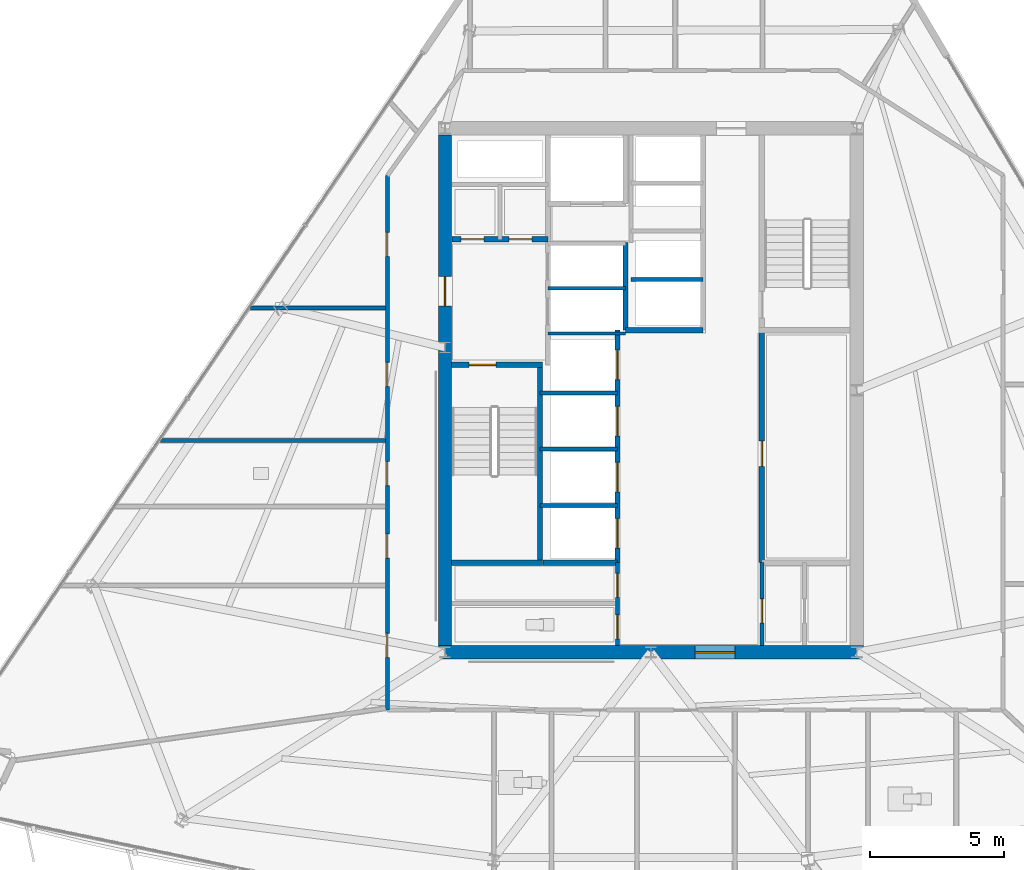
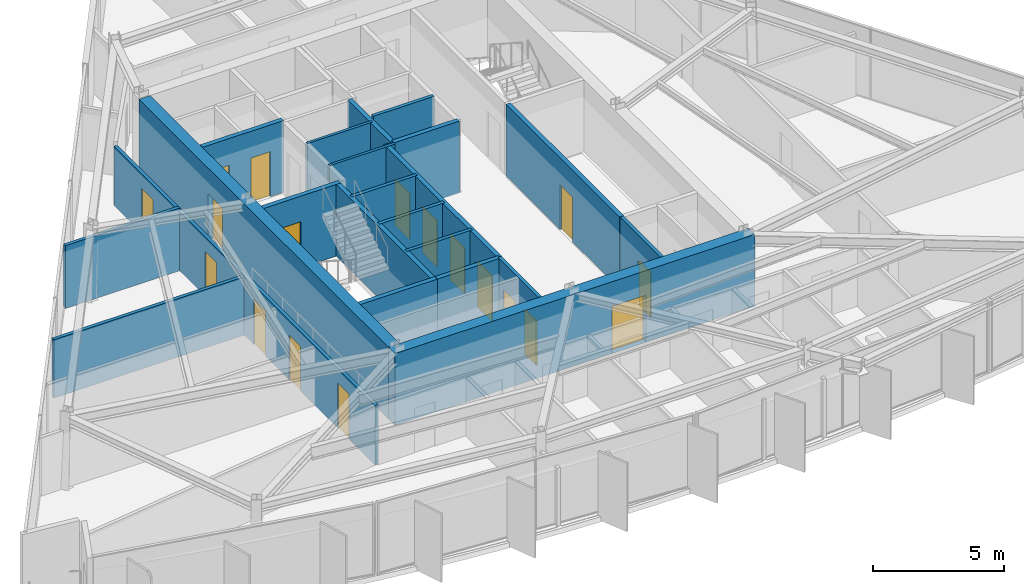
# One storey, part 8 of 15: 22 walls, 18 doors, 18 openings.
"""IFC4 building model written with IfcOpenShell, lengths in metres."""

from ifc_helpers import new_model, si_unit, direction, frame, frame_2d, origin, place, context, subcontext, project, spatial, rectangle, extrude, material, layer, layer_set, type_object, element, fill, save


model = new_model("IFC4")

# Units and contexts
model_context = context("Model", 3, precision=1e-05, world=origin(), true_north=direction((0.0, 1.0)))
body_context = subcontext(model_context, "Body", "Model", "MODEL_VIEW")
ifc_project = project(units=[si_unit("LENGTHUNIT", "METRE"), si_unit("AREAUNIT", "SQUARE_METRE"), si_unit("VOLUMEUNIT", "CUBIC_METRE"), si_unit("PLANEANGLEUNIT", "RADIAN"), si_unit("MASSUNIT", "GRAM", prefix="KILO")], contexts=[model_context])

# Site, building, storey
site_placement = place(None, origin())
site = spatial("IfcSite", under=ifc_project, at=site_placement, CompositionType="ELEMENT")
building_placement = place(site_placement, origin())
building = spatial("IfcBuilding", under=site, at=building_placement, Name="Savorim Split Tower", CompositionType="ELEMENT")
storey_placement = place(building_placement, frame((0.0, 0.0, 167.39990234375)))
storey = spatial("IfcBuildingStorey", under=building, at=storey_placement, Name="L44", CompositionType="ELEMENT", Elevation=167.39990234375)

# Wall, opening, door
ifc_material_1 = material(Name="Concrete C60/75", Category="concrete")
ifc_layer_1 = layer(ifc_material_1, 0.5)
ifc_layer_set_1 = layer_set([ifc_layer_1], Name="WAL-COR-SH500")
wall_type_1 = type_object("IfcWallType", Name="WAL-COR-SH500", PredefinedType="SHEAR", material=ifc_layer_set_1)
wall_1_placement = place(storey_placement, frame((-7.949951171875, -9.39990234375, 0.0), z_axis=(0.0, 0.0, 1.0), x_axis=(1.0, 0.0, 0.0)))
wall_1 = element("IfcWall", 1, at=wall_1_placement, inside=storey, type_object=wall_type_1, Name="L44 Offset Core South Shear Wall", PredefinedType="SHEAR", context=body_context, shape_type="SweptSolid", body=[
    extrude(rectangle(XDim=15.89990234375, YDim=0.5, at=frame_2d((7.949951171875, 0.0))), origin(), (0.0, 0.0, 1.0), 3.35009765625),
])
opening_1_placement = place(wall_1_placement, frame((9.60009765625, 0.0, 0.0)))
opening_1 = element("IfcOpeningElement", 2, at=opening_1_placement, cuts=wall_1, Name="Opening DI-02", PredefinedType="OPENING", context=body_context, shape_type="SweptSolid", body=[
    extrude(rectangle(XDim=1.5, YDim=2.199951171875, at=frame_2d((0.75, 1.10009765625))), frame((0.0, 0.260009765625, 0.0), z_axis=(0.0, -1.0, 0.0), x_axis=(1.0, 0.0, 0.0)), (0.0, 0.0, 1.0), 0.52001953125),
])
ifc_material_2 = material(Name="Timber Fire Door Leaf", Category="wood")
door_type_1 = type_object("IfcDoorType", Name="DOR-DBL-1500", OperationType="NOTDEFINED", PredefinedType="DOOR", material=ifc_material_2)
door_1_placement = place(opening_1_placement, origin())
door_1 = element("IfcDoor", 3, at=door_1_placement, inside=storey, type_object=door_type_1, Name="DOR-L44-COR-LLOB - L44 Lift Lobby Main Rated Door", OperationType="DOUBLE_DOOR_SINGLE_SWING", OverallHeight=2.199951171875, OverallWidth=1.5, PredefinedType="DOOR", context=body_context, shape_type="SweptSolid", body=[
    extrude(rectangle(XDim=1.5, YDim=2.199951171875, at=frame_2d((0.75, 1.10009765625))), frame((0.0, 0.02490234375, 0.0), z_axis=(0.0, -1.0, 0.0), x_axis=(1.0, 0.0, 0.0)), (0.0, 0.0, 1.0), 0.050048828125),
])
fill(opening_1, door_1)

wall_2_placement = place(storey_placement, frame((-7.699951171875, -9.14990234375, 0.0), z_axis=(0.0, 0.0, 1.0), x_axis=(0.0, 1.0, 0.0)))
wall_2 = element("IfcWall", 4, at=wall_2_placement, inside=storey, type_object=wall_type_1, Name="L44 Offset Core West Shear Wall", PredefinedType="SHEAR", context=body_context, shape_type="SweptSolid", body=[
    extrude(rectangle(XDim=19.099853515625, YDim=0.5, at=frame_2d((9.5498046875, 0.0))), origin(), (0.0, 0.0, 1.0), 3.35009765625),
])
opening_2_placement = place(wall_2_placement, frame((12.699951171875, 0.0, 0.0)))
opening_2 = element("IfcOpeningElement", 5, at=opening_2_placement, cuts=wall_2, Name="Opening DI-03", PredefinedType="OPENING", context=body_context, shape_type="SweptSolid", body=[
    extrude(rectangle(XDim=1.10009765625, YDim=2.14990234375, at=frame_2d((0.550048828125, 1.074951171875))), frame((0.0, 0.260009765625, 0.0), z_axis=(0.0, -1.0, 0.0), x_axis=(1.0, 0.0, 0.0)), (0.0, 0.0, 1.0), 0.52001953125),
])
door_type_2 = type_object("IfcDoorType", Name="DOR-FIR-1100", OperationType="NOTDEFINED", PredefinedType="DOOR", material=ifc_material_2)
door_2_placement = place(opening_2_placement, origin())
door_2 = element("IfcDoor", 6, at=door_2_placement, inside=storey, type_object=door_type_2, Name="DOR-L44-COR-FFLOB - L44 Firefighting Lobby Corridor Door", OperationType="SINGLE_SWING_RIGHT", OverallHeight=2.14990234375, OverallWidth=1.10009765625, PredefinedType="DOOR", context=body_context, shape_type="SweptSolid", body=[
    extrude(rectangle(XDim=1.10009765625, YDim=2.14990234375, at=frame_2d((0.550048828125, 1.074951171875))), frame((0.0, 0.02490234375, 0.0), z_axis=(0.0, -1.0, 0.0), x_axis=(1.0, 0.0, 0.0)), (0.0, 0.0, 1.0), 0.050048828125),
])
fill(opening_2, door_2)

ifc_material_3 = material(Name="Concrete C50/60", Category="concrete")
ifc_layer_2 = layer(ifc_material_3, 0.199951171875)
ifc_layer_set_2 = layer_set([ifc_layer_2], Name="WAL-INT-RC200")
wall_type_2 = type_object("IfcWallType", Name="WAL-INT-RC200", PredefinedType="SOLIDWALL", material=ifc_layer_set_2)
wall_3_placement = place(storey_placement, frame((-7.449951171875, 1.35009765625, 0.0), z_axis=(0.0, 0.0, 1.0), x_axis=(1.0, 0.0, 0.0)))
wall_3 = element("IfcWall", 7, at=wall_3_placement, inside=storey, type_object=wall_type_2, Name="L44 Structural Shaft Wall W-L44-CR01", PredefinedType="SOLIDWALL", context=body_context, shape_type="SweptSolid", body=[
    extrude(rectangle(XDim=3.39990234375, YDim=0.199951171875, at=frame_2d((1.699951171875, 0.0))), origin(), (0.0, 0.0, 1.0), 3.35009765625),
])
opening_3_placement = place(wall_3_placement, frame((0.64990234375, 0.0, 0.0)))
opening_3 = element("IfcOpeningElement", 8, at=opening_3_placement, cuts=wall_3, Name="Opening DI-04", PredefinedType="OPENING", context=body_context, shape_type="SweptSolid", body=[
    extrude(rectangle(XDim=1.0, YDim=2.14990234375, at=frame_2d((0.5, 1.074951171875))), frame((0.0, 0.10986328125, 0.0), z_axis=(0.0, -1.0, 0.0), x_axis=(1.0, 0.0, 0.0)), (0.0, 0.0, 1.0), 0.219970703125),
])
door_type_3 = type_object("IfcDoorType", Name="DOR-FIR-1000", OperationType="NOTDEFINED", PredefinedType="DOOR", material=ifc_material_2)
door_3_placement = place(opening_3_placement, origin())
door_3 = element("IfcDoor", 9, at=door_3_placement, inside=storey, type_object=door_type_3, Name="DR-L44-ST1 - L44 Stair ST-1 Enclosure Door", OperationType="SINGLE_SWING_LEFT", OverallHeight=2.14990234375, OverallWidth=1.0, PredefinedType="DOOR", context=body_context, shape_type="SweptSolid", body=[
    extrude(rectangle(XDim=1.0, YDim=2.14990234375, at=frame_2d((0.5, 1.074951171875))), frame((0.0, 0.02490234375, 0.0), z_axis=(0.0, -1.0, 0.0), x_axis=(1.0, 0.0, 0.0)), (0.0, 0.0, 1.0), 0.050048828125),
])
fill(opening_3, door_3)

# Wall
wall_4_placement = place(storey_placement, frame((-4.14990234375, -5.949951171875, 0.0), z_axis=(0.0, 0.0, 1.0), x_axis=(0.0, 1.0, 0.0)))
element("IfcWall", 10, at=wall_4_placement, inside=storey, type_object=wall_type_2, Name="L44 Structural Shaft Wall W-L44-CR02", PredefinedType="SOLIDWALL", context=body_context, shape_type="SweptSolid", body=[
    extrude(rectangle(XDim=7.199951171875, YDim=0.199951171875, at=frame_2d((3.60009765625, 0.0))), origin(), (0.0, 0.0, 1.0), 3.35009765625),
])

# Wall, openings, doors
wall_5_placement = place(storey_placement, frame((-7.445068359375, 6.050048828125, 0.0), z_axis=(0.0, 0.0, 1.0), x_axis=(1.0, 0.0, 0.0)))
wall_5 = element("IfcWall", 11, at=wall_5_placement, inside=storey, type_object=wall_type_2, Name="L44 Partition W-L44-CR04", PredefinedType="SOLIDWALL", context=body_context, shape_type="SweptSolid", body=[
    extrude(rectangle(XDim=3.594970703125, YDim=0.199951171875, at=frame_2d((1.79736328125, 0.0))), origin(), (0.0, 0.0, 1.0), 3.35009765625),
])
opening_4_placement = place(wall_5_placement, frame((0.344970703125, 0.0, 0.0)))
opening_4 = element("IfcOpeningElement", 12, at=opening_4_placement, cuts=wall_5, Name="Opening DI-12", PredefinedType="OPENING", context=body_context, shape_type="SweptSolid", body=[
    extrude(rectangle(XDim=0.85009765625, YDim=2.10009765625, at=frame_2d((0.425048828125, 1.050048828125))), frame((0.0, 0.10986328125, 0.0), z_axis=(0.0, -1.0, 0.0), x_axis=(1.0, 0.0, 0.0)), (0.0, 0.0, 1.0), 0.219970703125),
])
opening_5_placement = place(wall_5_placement, frame((2.14501953125, 0.0, 0.0)))
opening_5 = element("IfcOpeningElement", 13, at=opening_5_placement, cuts=wall_5, Name="Opening DI-12", PredefinedType="OPENING", context=body_context, shape_type="SweptSolid", body=[
    extrude(rectangle(XDim=0.85009765625, YDim=2.10009765625, at=frame_2d((0.425048828125, 1.050048828125))), frame((0.0, 0.10986328125, 0.0), z_axis=(0.0, -1.0, 0.0), x_axis=(1.0, 0.0, 0.0)), (0.0, 0.0, 1.0), 0.219970703125),
])
ifc_material_4 = material(Name="Galvanised Painted Steel Balustrade", Category="steel")
door_type_4 = type_object("IfcDoorType", Name="DOR-RIS-850", OperationType="NOTDEFINED", PredefinedType="DOOR", material=ifc_material_4)
door_4_placement = place(opening_4_placement, origin())
door_4 = element("IfcDoor", 14, at=door_4_placement, inside=storey, type_object=door_type_4, Name="DR-L44-ELR - L44 Electrical Riser Access Door", OperationType="SINGLE_SWING_RIGHT", OverallHeight=2.10009765625, OverallWidth=0.85009765625, PredefinedType="DOOR", context=body_context, shape_type="SweptSolid", body=[
    extrude(rectangle(XDim=0.85009765625, YDim=2.10009765625, at=frame_2d((0.425048828125, 1.050048828125))), frame((0.0, 0.02490234375, 0.0), z_axis=(0.0, -1.0, 0.0), x_axis=(1.0, 0.0, 0.0)), (0.0, 0.0, 1.0), 0.050048828125),
])
fill(opening_4, door_4)
door_5_placement = place(opening_5_placement, origin())
door_5 = element("IfcDoor", 15, at=door_5_placement, inside=storey, type_object=door_type_4, Name="DR-L44-TLR - L44 Telecom Riser Access Door", OperationType="SINGLE_SWING_LEFT", OverallHeight=2.10009765625, OverallWidth=0.85009765625, PredefinedType="DOOR", context=body_context, shape_type="SweptSolid", body=[
    extrude(rectangle(XDim=0.85009765625, YDim=2.10009765625, at=frame_2d((0.425048828125, 1.050048828125))), frame((0.0, 0.02490234375, 0.0), z_axis=(0.0, -1.0, 0.0), x_axis=(1.0, 0.0, 0.0)), (0.0, 0.0, 1.0), 0.050048828125),
])
fill(opening_5, door_5)

# Wall
wall_6_placement = place(storey_placement, frame((-0.949951171875, 2.64990234375, 0.0), z_axis=(0.0, 0.0, 1.0), x_axis=(0.0, 1.0, 0.0)))
element("IfcWall", 16, at=wall_6_placement, inside=storey, type_object=wall_type_2, Name="L44 Partition W-L44-FFLW", PredefinedType="SOLIDWALL", context=body_context, shape_type="SweptSolid", body=[
    extrude(rectangle(XDim=3.27001953125, YDim=0.199951171875, at=frame_2d((1.635009765625, 0.0))), origin(), (0.0, 0.0, 1.0), 3.35009765625),
])

# Wall, opening, door
wall_7_placement = place(storey_placement, frame((4.14990234375, -6.050048828125, 0.0), z_axis=(0.0, 0.0, 1.0), x_axis=(0.0, 1.0, 0.0)))
wall_7 = element("IfcWall", 17, at=wall_7_placement, inside=storey, type_object=wall_type_2, Name="L44 Partition W-L44-B1FRONT", PredefinedType="SOLIDWALL", context=body_context, shape_type="SweptSolid", body=[
    extrude(rectangle(XDim=8.699951171875, YDim=0.199951171875, at=frame_2d((4.35009765625, 0.0))), origin(), (0.0, 0.0, 1.0), 3.35009765625),
])
opening_6_placement = place(wall_7_placement, frame((3.60009765625, 0.0, 0.0)))
opening_6 = element("IfcOpeningElement", 18, at=opening_6_placement, cuts=wall_7, Name="Opening DI-05", PredefinedType="OPENING", context=body_context, shape_type="SweptSolid", body=[
    extrude(rectangle(XDim=0.949951171875, YDim=2.10009765625, at=frame_2d((0.47509765625, 1.050048828125))), frame((0.0, 0.10986328125, 0.0), z_axis=(0.0, -1.0, 0.0), x_axis=(1.0, 0.0, 0.0)), (0.0, 0.0, 1.0), 0.219970703125),
])
door_type_5 = type_object("IfcDoorType", Name="DOR-FIR-950", OperationType="NOTDEFINED", PredefinedType="DOOR", material=ifc_material_2)
door_6_placement = place(opening_6_placement, origin())
door_6 = element("IfcDoor", 19, at=door_6_placement, inside=storey, type_object=door_type_5, Name="DR-L44-LV7B1 - L44 Shared Pantry and Linen Room Door", OperationType="SINGLE_SWING_RIGHT", OverallHeight=2.10009765625, OverallWidth=0.949951171875, PredefinedType="DOOR", context=body_context, shape_type="SweptSolid", body=[
    extrude(rectangle(XDim=0.949951171875, YDim=2.10009765625, at=frame_2d((0.47509765625, 1.050048828125))), frame((0.0, 0.02490234375, 0.0), z_axis=(0.0, -1.0, 0.0), x_axis=(1.0, 0.0, 0.0)), (0.0, 0.0, 1.0), 0.050048828125),
])
fill(opening_6, door_6)

# Wall, openings, doors
wall_8_placement = place(storey_placement, frame((-1.25, -6.050048828125, 0.0), z_axis=(0.0, 0.0, 1.0), x_axis=(0.0, 1.0, 0.0)))
wall_8 = element("IfcWall", 20, at=wall_8_placement, inside=storey, type_object=wall_type_2, Name="L44 Partition W-L44-B2FRONT", PredefinedType="SOLIDWALL", context=body_context, shape_type="SweptSolid", body=[
    extrude(rectangle(XDim=8.699951171875, YDim=0.199951171875, at=frame_2d((4.35009765625, 0.0))), origin(), (0.0, 0.0, 1.0), 3.35009765625),
])
opening_7_placement = place(wall_8_placement, frame((0.550048828125, 0.0, 0.0)))
opening_7 = element("IfcOpeningElement", 21, at=opening_7_placement, cuts=wall_8, Name="Opening LD-02", PredefinedType="OPENING", context=body_context, shape_type="SweptSolid", body=[
    extrude(rectangle(XDim=1.10009765625, YDim=2.14990234375, at=frame_2d((0.550048828125, 1.074951171875))), frame((0.0, 0.10986328125, 0.0), z_axis=(0.0, -1.0, 0.0), x_axis=(1.0, 0.0, 0.0)), (0.0, 0.0, 1.0), 0.219970703125),
])
opening_8_placement = place(wall_8_placement, frame((2.64990234375, 0.0, 0.0)))
opening_8 = element("IfcOpeningElement", 22, at=opening_8_placement, cuts=wall_8, Name="Opening LD-02", PredefinedType="OPENING", context=body_context, shape_type="SweptSolid", body=[
    extrude(rectangle(XDim=1.10009765625, YDim=2.14990234375, at=frame_2d((0.550048828125, 1.074951171875))), frame((0.0, 0.10986328125, 0.0), z_axis=(0.0, -1.0, 0.0), x_axis=(1.0, 0.0, 0.0)), (0.0, 0.0, 1.0), 0.219970703125),
])
opening_9_placement = place(wall_8_placement, frame((4.75, 0.0, 0.0)))
opening_9 = element("IfcOpeningElement", 23, at=opening_9_placement, cuts=wall_8, Name="Opening LD-02", PredefinedType="OPENING", context=body_context, shape_type="SweptSolid", body=[
    extrude(rectangle(XDim=1.10009765625, YDim=2.14990234375, at=frame_2d((0.550048828125, 1.074951171875))), frame((0.0, 0.10986328125, 0.0), z_axis=(0.0, -1.0, 0.0), x_axis=(1.0, 0.0, 0.0)), (0.0, 0.0, 1.0), 0.219970703125),
])
opening_10_placement = place(wall_8_placement, frame((6.85009765625, 0.0, 0.0)))
opening_10 = element("IfcOpeningElement", 24, at=opening_10_placement, cuts=wall_8, Name="Opening LD-02", PredefinedType="OPENING", context=body_context, shape_type="SweptSolid", body=[
    extrude(rectangle(XDim=1.10009765625, YDim=2.14990234375, at=frame_2d((0.550048828125, 1.074951171875))), frame((0.0, 0.10986328125, 0.0), z_axis=(0.0, -1.0, 0.0), x_axis=(1.0, 0.0, 0.0)), (0.0, 0.0, 1.0), 0.219970703125),
])
ifc_material_5 = material(Name="Charcoal Anodised Aluminium", Category="aluminium")
door_type_6 = type_object("IfcDoorType", Name="DOR-SLD-LDM1100", OperationType="NOTDEFINED", PredefinedType="DOOR", material=ifc_material_5)
door_7_placement = place(opening_7_placement, origin())
door_7 = element("IfcDoor", 25, at=door_7_placement, inside=storey, type_object=door_type_6, Name="DR-L44-LD-PLM1 - L44 Lift PL-M1 Sliding Landing Door", OperationType="DOUBLE_DOOR_SLIDING", OverallHeight=2.14990234375, OverallWidth=1.10009765625, PredefinedType="DOOR", context=body_context, shape_type="SweptSolid", body=[
    extrude(rectangle(XDim=1.10009765625, YDim=2.14990234375, at=frame_2d((0.550048828125, 1.074951171875))), frame((0.0, 0.02490234375, 0.0), z_axis=(0.0, -1.0, 0.0), x_axis=(1.0, 0.0, 0.0)), (0.0, 0.0, 1.0), 0.050048828125),
])
fill(opening_7, door_7)
door_8_placement = place(opening_8_placement, origin())
door_8 = element("IfcDoor", 26, at=door_8_placement, inside=storey, type_object=door_type_6, Name="DR-L44-LD-PLM2 - L44 Lift PL-M2 Sliding Landing Door", OperationType="DOUBLE_DOOR_SLIDING", OverallHeight=2.14990234375, OverallWidth=1.10009765625, PredefinedType="DOOR", context=body_context, shape_type="SweptSolid", body=[
    extrude(rectangle(XDim=1.10009765625, YDim=2.14990234375, at=frame_2d((0.550048828125, 1.074951171875))), frame((0.0, 0.02490234375, 0.0), z_axis=(0.0, -1.0, 0.0), x_axis=(1.0, 0.0, 0.0)), (0.0, 0.0, 1.0), 0.050048828125),
])
fill(opening_8, door_8)
door_9_placement = place(opening_9_placement, origin())
door_9 = element("IfcDoor", 27, at=door_9_placement, inside=storey, type_object=door_type_6, Name="DR-L44-LD-PLM3 - L44 Lift PL-M3 Sliding Landing Door", OperationType="DOUBLE_DOOR_SLIDING", OverallHeight=2.14990234375, OverallWidth=1.10009765625, PredefinedType="DOOR", context=body_context, shape_type="SweptSolid", body=[
    extrude(rectangle(XDim=1.10009765625, YDim=2.14990234375, at=frame_2d((0.550048828125, 1.074951171875))), frame((0.0, 0.02490234375, 0.0), z_axis=(0.0, -1.0, 0.0), x_axis=(1.0, 0.0, 0.0)), (0.0, 0.0, 1.0), 0.050048828125),
])
fill(opening_9, door_9)
door_10_placement = place(opening_10_placement, origin())
door_10 = element("IfcDoor", 28, at=door_10_placement, inside=storey, type_object=door_type_6, Name="DR-L44-LD-PLM4 - L44 Lift PL-M4 Sliding Landing Door", OperationType="DOUBLE_DOOR_SLIDING", OverallHeight=2.14990234375, OverallWidth=1.10009765625, PredefinedType="DOOR", context=body_context, shape_type="SweptSolid", body=[
    extrude(rectangle(XDim=1.10009765625, YDim=2.14990234375, at=frame_2d((0.550048828125, 1.074951171875))), frame((0.0, 0.02490234375, 0.0), z_axis=(0.0, -1.0, 0.0), x_axis=(1.0, 0.0, 0.0)), (0.0, 0.0, 1.0), 0.050048828125),
])
fill(opening_10, door_10)

# Walls
wall_9_placement = place(storey_placement, frame((-0.949951171875, 2.64990234375, 0.0), z_axis=(0.0, 0.0, 1.0), x_axis=(1.0, 0.0, 0.0)))
element("IfcWall", 29, at=wall_9_placement, inside=storey, type_object=wall_type_2, Name="L44 Partition W-L44-B3SOUTH", PredefinedType="SOLIDWALL", context=body_context, shape_type="SweptSolid", body=[
    extrude(rectangle(XDim=2.89990234375, YDim=0.199951171875, at=frame_2d((1.449951171875, 0.0))), origin(), (0.0, 0.0, 1.0), 3.35009765625),
])
wall_10_placement = place(storey_placement, frame((-7.449951171875, -6.050048828125, 0.0), z_axis=(0.0, 0.0, 1.0), x_axis=(1.0, 0.0, 0.0)))
element("IfcWall", 30, at=wall_10_placement, inside=storey, type_object=wall_type_2, Name="L44 Structural Shaft Wall W-L44-KSEP-W", PredefinedType="SOLIDWALL", context=body_context, shape_type="SweptSolid", body=[
    extrude(rectangle(XDim=3.39990234375, YDim=0.199951171875, at=frame_2d((1.699951171875, 0.0))), origin(), (0.0, 0.0, 1.0), 3.35009765625),
])
wall_11_placement = place(storey_placement, frame((-4.0400390625, -6.050048828125, 0.0), z_axis=(0.0, 0.0, 1.0), x_axis=(1.0, 0.0, 0.0)))
element("IfcWall", 31, at=wall_11_placement, inside=storey, type_object=wall_type_2, Name="L44 Partition W-L44-KSEP-W2", PredefinedType="SOLIDWALL", context=body_context, shape_type="SweptSolid", body=[
    extrude(rectangle(XDim=2.7900390625, YDim=0.199951171875, at=frame_2d((1.39501953125, 0.0))), origin(), (0.0, 0.0, 1.0), 3.35009765625),
])
ifc_material_6 = material(Name="Acoustic Gypsum Partition Board")
ifc_layer_3 = layer(ifc_material_6, 0.1201171875)
ifc_layer_set_3 = layer_set([ifc_layer_3], Name="WAL-PAR-120")
wall_type_3 = type_object("IfcWallType", Name="WAL-PAR-120", PredefinedType="PARTITIONING", material=ifc_layer_set_3)
for number, where, z_axis, x_axis, name in (
    (32, (-3.85009765625, 2.52001953125, 0.0), (0.0, 0.0, 1.0), (1.0, 0.0, 0.0), "L44 Partition W-L44-FFLD0"),
    (33, (-3.85009765625, 4.219970703125, 0.0), (0.0, 0.0, 1.0), (1.0, 0.0, 0.0), "L44 Partition W-L44-FFLD1"),
):
    element("IfcWall", number, at=place(storey_placement, frame(where, z_axis=z_axis, x_axis=x_axis)), inside=storey, type_object=wall_type_3, Name=name, PredefinedType="PARTITIONING", context=body_context, shape_type="SweptSolid", body=[
        extrude(rectangle(XDim=2.900146484375, YDim=0.1201171875, at=frame_2d((1.4501953125, 0.0))), origin(), (0.0, 0.0, 1.0), 3.35009765625),
    ])
ifc_layer_4 = layer(ifc_material_6, 0.14990234375)
ifc_layer_set_4 = layer_set([ifc_layer_4], Name="WAL-PAR-150")
wall_type_4 = type_object("IfcWallType", Name="WAL-PAR-150", PredefinedType="PARTITIONING", material=ifc_layer_set_4)
for number, where, z_axis, x_axis, name in (
    (34, (-4.14990234375, -3.89990234375, 0.0), (0.0, 0.0, 1.0), (1.0, 0.0, 0.0), "L44 Partition W-L44-B2DIV1"),
    (35, (-4.14990234375, -1.800048828125, 0.0), (0.0, 0.0, 1.0), (1.0, 0.0, 0.0), "L44 Partition W-L44-B2DIV2"),
    (36, (-4.14990234375, 0.300048828125, 0.0), (0.0, 0.0, 1.0), (1.0, 0.0, 0.0), "L44 Partition W-L44-B2DIV3"),
):
    element("IfcWall", number, at=place(storey_placement, frame(where, z_axis=z_axis, x_axis=x_axis)), inside=storey, type_object=wall_type_4, Name=name, PredefinedType="PARTITIONING", context=body_context, shape_type="SweptSolid", body=[
        extrude(rectangle(XDim=2.89990234375, YDim=0.14990234375, at=frame_2d((1.449951171875, 0.0))), origin(), (0.0, 0.0, 1.0), 3.35009765625),
    ])
wall_12_placement = place(storey_placement, frame((-0.75, 4.550048828125, 0.0), z_axis=(0.0, 0.0, 1.0), x_axis=(1.0, 0.0, 0.0)))
element("IfcWall", 37, at=wall_12_placement, inside=storey, type_object=wall_type_4, Name="L44 Partition W-L44-B3DIV1", PredefinedType="PARTITIONING", context=body_context, shape_type="SweptSolid", body=[
    extrude(rectangle(XDim=2.699951171875, YDim=0.14990234375, at=frame_2d((1.35009765625, 0.0))), origin(), (0.0, 0.0, 1.0), 3.35009765625),
])

# Wall, openings, doors
wall_13_placement = place(storey_placement, frame((-1.25, -9.14501953125, 0.0), z_axis=(0.0, 0.0, 1.0), x_axis=(0.0, 1.0, 0.0)))
wall_13 = element("IfcWall", 38, at=wall_13_placement, inside=storey, type_object=wall_type_4, Name="L44 Partition W-L44-KLOB-W", PredefinedType="PARTITIONING", context=body_context, shape_type="SweptSolid", body=[
    extrude(rectangle(XDim=3.094970703125, YDim=0.14990234375, at=frame_2d((1.54736328125, 0.0))), origin(), (0.0, 0.0, 1.0), 3.35009765625),
])
opening_11_placement = place(wall_13_placement, frame((1.794921875, 0.0, 0.0)))
opening_11 = element("IfcOpeningElement", 39, at=opening_11_placement, cuts=wall_13, Name="Opening DI-06", PredefinedType="OPENING", context=body_context, shape_type="SweptSolid", body=[
    extrude(rectangle(XDim=0.89990234375, YDim=2.10009765625, at=frame_2d((0.449951171875, 1.050048828125))), frame((0.0, 0.0849609375, 0.0), z_axis=(0.0, -1.0, 0.0), x_axis=(1.0, 0.0, 0.0)), (0.0, 0.0, 1.0), 0.169921875),
])
opening_12_placement = place(wall_13_placement, frame((0.2451171875, 0.0, 0.0)))
opening_12 = element("IfcOpeningElement", 40, at=opening_12_placement, cuts=wall_13, Name="Opening DI-11", PredefinedType="OPENING", context=body_context, shape_type="SweptSolid", body=[
    extrude(rectangle(XDim=0.89990234375, YDim=2.10009765625, at=frame_2d((0.449951171875, 1.050048828125))), frame((0.0, 0.0849609375, 0.0), z_axis=(0.0, -1.0, 0.0), x_axis=(1.0, 0.0, 0.0)), (0.0, 0.0, 1.0), 0.169921875),
])
door_type_7 = type_object("IfcDoorType", Name="DOR-FIR-900", OperationType="NOTDEFINED", PredefinedType="DOOR", material=ifc_material_2)
door_11_placement = place(opening_11_placement, origin())
door_11 = element("IfcDoor", 41, at=door_11_placement, inside=storey, type_object=door_type_7, Name="DR-L44-K2CLN - L44 Cleaning Store Door", OperationType="SINGLE_SWING_LEFT", OverallHeight=2.10009765625, OverallWidth=0.89990234375, PredefinedType="DOOR", context=body_context, shape_type="SweptSolid", body=[
    extrude(rectangle(XDim=0.89990234375, YDim=2.10009765625, at=frame_2d((0.449951171875, 1.050048828125))), frame((0.0, 0.02490234375, 0.0), z_axis=(0.0, -1.0, 0.0), x_axis=(1.0, 0.0, 0.0)), (0.0, 0.0, 1.0), 0.050048828125),
])
fill(opening_11, door_11)
ifc_material_7 = material(Name="Oak Veneer Acoustic Door")
door_type_8 = type_object("IfcDoorType", Name="DOR-WC-900", OperationType="NOTDEFINED", PredefinedType="DOOR", material=ifc_material_7)
door_12_placement = place(opening_12_placement, origin())
door_12 = element("IfcDoor", 42, at=door_12_placement, inside=storey, type_object=door_type_8, Name="DR-L44-K2WC - L44 Core WC Door", OperationType="SINGLE_SWING_RIGHT", OverallHeight=2.10009765625, OverallWidth=0.89990234375, PredefinedType="DOOR", context=body_context, shape_type="SweptSolid", body=[
    extrude(rectangle(XDim=0.89990234375, YDim=2.10009765625, at=frame_2d((0.449951171875, 1.050048828125))), frame((0.0, 0.02490234375, 0.0), z_axis=(0.0, -1.0, 0.0), x_axis=(1.0, 0.0, 0.0)), (0.0, 0.0, 1.0), 0.050048828125),
])
fill(opening_12, door_12)

# Wall, opening, door
wall_14_placement = place(storey_placement, frame((4.14990234375, -9.14501953125, 0.0), z_axis=(0.0, 0.0, 1.0), x_axis=(0.0, 1.0, 0.0)))
wall_14 = element("IfcWall", 43, at=wall_14_placement, inside=storey, type_object=wall_type_4, Name="L44 Partition W-L44-KLOB-E", PredefinedType="PARTITIONING", context=body_context, shape_type="SweptSolid", body=[
    extrude(rectangle(XDim=3.094970703125, YDim=0.14990234375, at=frame_2d((1.54736328125, 0.0))), origin(), (0.0, 0.0, 1.0), 3.35009765625),
])
opening_13_placement = place(wall_14_placement, frame((0.844970703125, 0.0, 0.0)))
opening_13 = element("IfcOpeningElement", 44, at=opening_13_placement, cuts=wall_14, Name="Opening DI-06", PredefinedType="OPENING", context=body_context, shape_type="SweptSolid", body=[
    extrude(rectangle(XDim=0.89990234375, YDim=2.10009765625, at=frame_2d((0.449951171875, 1.050048828125))), frame((0.0, 0.0849609375, 0.0), z_axis=(0.0, -1.0, 0.0), x_axis=(1.0, 0.0, 0.0)), (0.0, 0.0, 1.0), 0.169921875),
])
door_13_placement = place(opening_13_placement, origin())
door_13 = element("IfcDoor", 45, at=door_13_placement, inside=storey, type_object=door_type_7, Name="DR-L44-K2PAN - L44 Vending Pantry Door", OperationType="SINGLE_SWING_LEFT", OverallHeight=2.10009765625, OverallWidth=0.89990234375, PredefinedType="DOOR", context=body_context, shape_type="SweptSolid", body=[
    extrude(rectangle(XDim=0.89990234375, YDim=2.10009765625, at=frame_2d((0.449951171875, 1.050048828125))), frame((0.0, 0.02490234375, 0.0), z_axis=(0.0, -1.0, 0.0), x_axis=(1.0, 0.0, 0.0)), (0.0, 0.0, 1.0), 0.050048828125),
])
fill(opening_13, door_13)

# Wall, openings, doors
wall_15_placement = place(storey_placement, frame((-9.860107421875, -11.56005859375, 0.0), z_axis=(0.0, 0.0, 1.0), x_axis=(0.0, 1.0, 0.0)))
wall_15 = element("IfcWall", 46, at=wall_15_placement, inside=storey, type_object=wall_type_4, Name="L44 Partition W-L44-COR-01", PredefinedType="PARTITIONING", context=body_context, shape_type="SweptSolid", body=[
    extrude(rectangle(XDim=19.98583984375, YDim=0.14990234375, at=frame_2d((9.992919921875, 0.0))), origin(), (0.0, 0.0, 1.0), 2.775146484375),
])
opening_14_placement = place(wall_15_placement, frame((8.39501953125, 0.0, 0.0)))
opening_14 = element("IfcOpeningElement", 47, at=opening_14_placement, cuts=wall_15, Name="Opening DI-06", PredefinedType="OPENING", context=body_context, shape_type="SweptSolid", body=[
    extrude(rectangle(XDim=0.89990234375, YDim=2.10009765625, at=frame_2d((0.449951171875, 1.050048828125))), frame((0.0, 0.0849609375, 0.0), z_axis=(0.0, -1.0, 0.0), x_axis=(1.0, 0.0, 0.0)), (0.0, 0.0, 1.0), 0.169921875),
])
opening_15_placement = place(wall_15_placement, frame((5.684814453125, 0.0, 0.0)))
opening_15 = element("IfcOpeningElement", 48, at=opening_15_placement, cuts=wall_15, Name="Opening DI-06", PredefinedType="OPENING", context=body_context, shape_type="SweptSolid", body=[
    extrude(rectangle(XDim=0.89990234375, YDim=2.10009765625, at=frame_2d((0.449951171875, 1.050048828125))), frame((0.0, 0.0849609375, 0.0), z_axis=(0.0, -1.0, 0.0), x_axis=(1.0, 0.0, 0.0)), (0.0, 0.0, 1.0), 0.169921875),
])
opening_16_placement = place(wall_15_placement, frame((1.970458984375, 0.0, 0.0)))
opening_16 = element("IfcOpeningElement", 49, at=opening_16_placement, cuts=wall_15, Name="Opening DI-06", PredefinedType="OPENING", context=body_context, shape_type="SweptSolid", body=[
    extrude(rectangle(XDim=0.89990234375, YDim=2.10009765625, at=frame_2d((0.449951171875, 1.050048828125))), frame((0.0, 0.0849609375, 0.0), z_axis=(0.0, -1.0, 0.0), x_axis=(1.0, 0.0, 0.0)), (0.0, 0.0, 1.0), 0.169921875),
])
opening_17_placement = place(wall_15_placement, frame((16.9716796875, 0.0, 0.0)))
opening_17 = element("IfcOpeningElement", 50, at=opening_17_placement, cuts=wall_15, Name="Opening DI-06", PredefinedType="OPENING", context=body_context, shape_type="SweptSolid", body=[
    extrude(rectangle(XDim=0.89990234375, YDim=2.10009765625, at=frame_2d((0.449951171875, 1.050048828125))), frame((0.0, 0.0849609375, 0.0), z_axis=(0.0, -1.0, 0.0), x_axis=(1.0, 0.0, 0.0)), (0.0, 0.0, 1.0), 0.169921875),
])
opening_18_placement = place(wall_15_placement, frame((12.109619140625, 0.0, 0.0)))
opening_18 = element("IfcOpeningElement", 51, at=opening_18_placement, cuts=wall_15, Name="Opening DI-06", PredefinedType="OPENING", context=body_context, shape_type="SweptSolid", body=[
    extrude(rectangle(XDim=0.89990234375, YDim=2.10009765625, at=frame_2d((0.449951171875, 1.050048828125))), frame((0.0, 0.0849609375, 0.0), z_axis=(0.0, -1.0, 0.0), x_axis=(1.0, 0.0, 0.0)), (0.0, 0.0, 1.0), 0.169921875),
])
door_14_placement = place(opening_14_placement, origin())
door_14 = element("IfcDoor", 52, at=door_14_placement, inside=storey, type_object=door_type_7, Name="DR-L44-RM01 - L44 Shared Kitchen Entry Door", OperationType="SINGLE_SWING_RIGHT", OverallHeight=2.10009765625, OverallWidth=0.89990234375, PredefinedType="DOOR", context=body_context, shape_type="SweptSolid", body=[
    extrude(rectangle(XDim=0.89990234375, YDim=2.10009765625, at=frame_2d((0.449951171875, 1.050048828125))), frame((0.0, 0.02490234375, 0.0), z_axis=(0.0, -1.0, 0.0), x_axis=(1.0, 0.0, 0.0)), (0.0, 0.0, 1.0), 0.050048828125),
])
fill(opening_14, door_14)
door_15_placement = place(opening_15_placement, origin())
door_15 = element("IfcDoor", 53, at=door_15_placement, inside=storey, type_object=door_type_7, Name="DR-L44-RM02 - L44 Maker Workshop Entry Door", OperationType="SINGLE_SWING_LEFT", OverallHeight=2.10009765625, OverallWidth=0.89990234375, PredefinedType="DOOR", context=body_context, shape_type="SweptSolid", body=[
    extrude(rectangle(XDim=0.89990234375, YDim=2.10009765625, at=frame_2d((0.449951171875, 1.050048828125))), frame((0.0, 0.02490234375, 0.0), z_axis=(0.0, -1.0, 0.0), x_axis=(1.0, 0.0, 0.0)), (0.0, 0.0, 1.0), 0.050048828125),
])
fill(opening_15, door_15)
door_16_placement = place(opening_16_placement, origin())
door_16 = element("IfcDoor", 54, at=door_16_placement, inside=storey, type_object=door_type_7, Name="DR-L44-RM03 - L44 Co-Working Commons Entry Door", OperationType="SINGLE_SWING_RIGHT", OverallHeight=2.10009765625, OverallWidth=0.89990234375, PredefinedType="DOOR", context=body_context, shape_type="SweptSolid", body=[
    extrude(rectangle(XDim=0.89990234375, YDim=2.10009765625, at=frame_2d((0.449951171875, 1.050048828125))), frame((0.0, 0.02490234375, 0.0), z_axis=(0.0, -1.0, 0.0), x_axis=(1.0, 0.0, 0.0)), (0.0, 0.0, 1.0), 0.050048828125),
])
fill(opening_16, door_16)
door_17_placement = place(opening_17_placement, origin())
door_17 = element("IfcDoor", 55, at=door_17_placement, inside=storey, type_object=door_type_7, Name="DR-L44-RM20 - L44 Quiet Study Room Entry Door", OperationType="SINGLE_SWING_LEFT", OverallHeight=2.10009765625, OverallWidth=0.89990234375, PredefinedType="DOOR", context=body_context, shape_type="SweptSolid", body=[
    extrude(rectangle(XDim=0.89990234375, YDim=2.10009765625, at=frame_2d((0.449951171875, 1.050048828125))), frame((0.0, 0.02490234375, 0.0), z_axis=(0.0, -1.0, 0.0), x_axis=(1.0, 0.0, 0.0)), (0.0, 0.0, 1.0), 0.050048828125),
])
fill(opening_17, door_17)
door_18_placement = place(opening_18_placement, origin())
door_18 = element("IfcDoor", 56, at=door_18_placement, inside=storey, type_object=door_type_7, Name="DR-L44-RM21 - L44 Quiet Study Room Entry Door", OperationType="SINGLE_SWING_RIGHT", OverallHeight=2.10009765625, OverallWidth=0.89990234375, PredefinedType="DOOR", context=body_context, shape_type="SweptSolid", body=[
    extrude(rectangle(XDim=0.89990234375, YDim=2.10009765625, at=frame_2d((0.449951171875, 1.050048828125))), frame((0.0, 0.02490234375, 0.0), z_axis=(0.0, -1.0, 0.0), x_axis=(1.0, 0.0, 0.0)), (0.0, 0.0, 1.0), 0.050048828125),
])
fill(opening_18, door_18)

# Walls
wall_16_placement = place(storey_placement, frame((-9.919921875, 3.475830078125, 0.0), z_axis=(0.0, 0.0, 1.0), x_axis=(-1.0, 0.0, 0.0)))
element("IfcWall", 57, at=wall_16_placement, inside=storey, type_object=wall_type_4, Name="L44 Partition W-L44-PRAD09", PredefinedType="PARTITIONING", context=body_context, shape_type="SweptSolid", body=[
    extrude(rectangle(XDim=5.05224609375, YDim=0.14990234375, at=frame_2d((2.526123046875, 0.0))), origin(), (0.0, 0.0, 1.0), 2.93505859375),
])
wall_17_placement = place(storey_placement, frame((-9.919921875, -1.476806640625, 0.0), z_axis=(0.0, 0.0, 1.0), x_axis=(-1.0, 0.0, 0.0)))
element("IfcWall", 58, at=wall_17_placement, inside=storey, type_object=wall_type_4, Name="L44 Partition W-L44-SUB01", PredefinedType="PARTITIONING", context=body_context, shape_type="SweptSolid", body=[
    extrude(rectangle(XDim=8.42138671875, YDim=0.14990234375, at=frame_2d((4.210693359375, 0.0))), origin(), (0.0, 0.0, 1.0), 2.72509765625),
])

save(model, "model.ifc")
